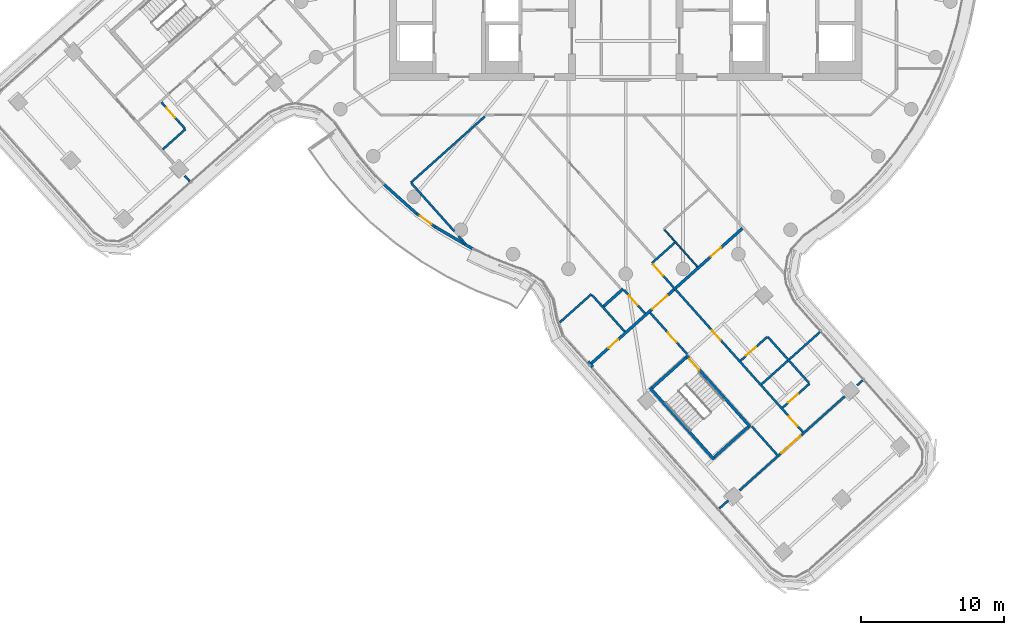
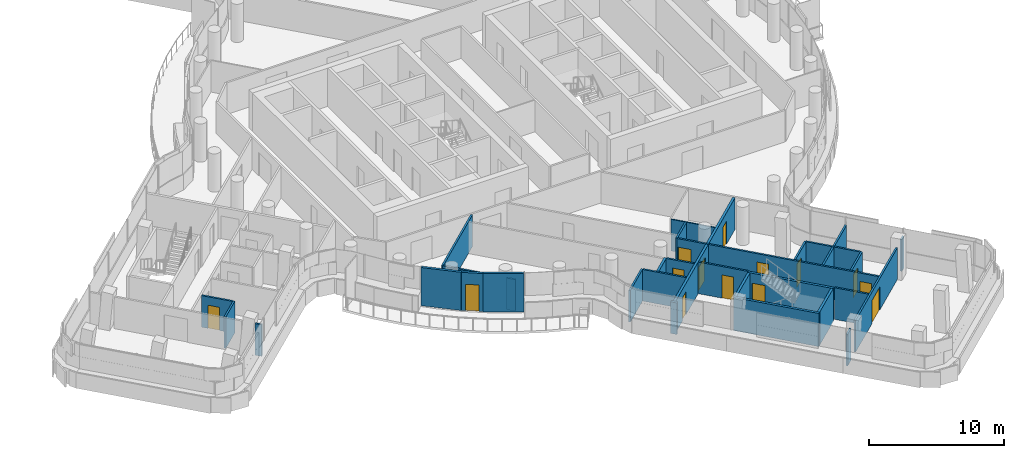
# One storey, part 20 of 33: 31 walls, 14 doors, 14 openings.
"""IFC4 building model written with IfcOpenShell, lengths in metres."""

import ifcopenshell
import ifcopenshell.guid

model = None  # the IFC model being written
_history = None  # IfcOwnerHistory: only IFC2X3 demands one
_inside = {}  # id of a spatial element -> (the spatial element, [elements in it])
_under = {}  # id of a project, library or spatial element -> (it, [spatial elements below it])
_declared = {}  # id of a project -> (the project, [libraries it declares])
_typed = {}  # id of a type object -> (the type object, [elements of that type])
_made_of = {}  # id of a material, layer set ... -> (it, [elements and type objects made of it])


def new_model(schema):
    """Start an empty IFC model of exactly this schema.

    Asked for "IFC4X3", IfcOpenShell would pick the latest addendum, in which some entities
    have other attributes; the version numbers below select the first issue.
    IFC2X3 requires an IfcOwnerHistory on every rooted entity: one is made here for all.
    """
    global model, _history
    if schema == "IFC4X3":
        model = ifcopenshell.file(schema_version=(4, 3, 0, 0))
    else:
        model = ifcopenshell.file(schema=schema)
    _inside.clear()
    _under.clear()
    _declared.clear()
    _typed.clear()
    _made_of.clear()
    _history = None
    if model.schema == "IFC2X3":
        org = make("IfcOrganization", Name="unknown")
        user = make(
            "IfcPersonAndOrganization",
            ThePerson=make("IfcPerson", FamilyName="unknown"),
            TheOrganization=org,
        )
        app = make(
            "IfcApplication",
            ApplicationDeveloper=org,
            Version="unknown",
            ApplicationFullName="unknown",
            ApplicationIdentifier="unknown",
        )
        _history = make(
            "IfcOwnerHistory",
            OwningUser=user,
            OwningApplication=app,
            ChangeAction="ADDED",
            CreationDate=0,
        )
    return model


def make(cls, **values):
    """One entity of the class cls with the attributes given. An attribute that is None is left unset."""
    return model.create_entity(
        cls, **{name: value for name, value in values.items() if value is not None}
    )


def rooted(cls, **values):
    """An entity with a GlobalId (a new one), such as an element, a storey or a relation."""
    return make(cls, GlobalId=ifcopenshell.guid.new(), OwnerHistory=_history, **values)


def si_unit(unit_type, name, prefix=None):
    """IfcSIUnit, for example si_unit("LENGTHUNIT", "METRE", prefix="MILLI")."""
    return make("IfcSIUnit", UnitType=unit_type, Prefix=prefix, Name=name)


def assignment(units):
    """IfcUnitAssignment: the units of a project."""
    return None if units is None else make("IfcUnitAssignment", Units=units)


def point(xyz):
    """IfcCartesianPoint."""
    return None if xyz is None else make("IfcCartesianPoint", Coordinates=xyz)


def direction(xyz):
    """IfcDirection."""
    return None if xyz is None else make("IfcDirection", DirectionRatios=xyz)


def frame(location, z_axis=None, x_axis=None):
    """IfcAxis2Placement3D, a coordinate frame: its origin and axes. An axis left out is left unset."""
    return make(
        "IfcAxis2Placement3D",
        Location=point(location),
        Axis=direction(z_axis),
        RefDirection=direction(x_axis),
    )


def frame_2d(location, x_axis=None):
    """IfcAxis2Placement2D, a coordinate frame in the plane: its origin and x axis."""
    return make(
        "IfcAxis2Placement2D", Location=point(location), RefDirection=direction(x_axis)
    )


def origin():
    """The frame at (0, 0, 0) with its axes left unset."""
    return frame((0.0, 0.0, 0.0))


def place(relative_to, where):
    """IfcLocalPlacement: puts the frame where relative to a parent placement (None: the world)."""
    return make(
        "IfcLocalPlacement", PlacementRelTo=relative_to, RelativePlacement=where
    )


def context(
    kind, dimensions, precision=None, world=None, true_north=None, identifier=None
):
    """IfcGeometricRepresentationContext, for example the 3D "Model" context."""
    return make(
        "IfcGeometricRepresentationContext",
        ContextIdentifier=identifier,
        ContextType=kind,
        CoordinateSpaceDimension=dimensions,
        Precision=precision,
        WorldCoordinateSystem=world,
        TrueNorth=true_north,
    )


def subcontext(parent, identifier, kind, view, scale=None):
    """IfcGeometricRepresentationSubContext, for example "Body" below "Model"."""
    return make(
        "IfcGeometricRepresentationSubContext",
        ContextIdentifier=identifier,
        ContextType=kind,
        ParentContext=parent,
        TargetScale=scale,
        TargetView=view,
    )


def project(units=None, contexts=None):
    """IfcProject with its units and contexts."""
    return rooted(
        "IfcProject",
        Name="project",
        RepresentationContexts=contexts,
        UnitsInContext=assignment(units),
    )


def spatial(cls, under=None, at=None, **own):
    """A site, building, storey or space (cls), placed at a placement, below another one or the project."""
    s = rooted(cls, ObjectPlacement=at, **own)
    if under is not None:
        _under.setdefault(under.id(), (under, []))[1].append(s)
    return s


def polyline(points):
    """IfcPolyline through the points."""
    return make("IfcPolyline", Points=[point(p) for p in points])


def profile(cls, at=None, kind="AREA", **sizes):
    """A parametric profile (cls). Its sizes go by their IFC names, for example OverallWidth=200.0."""
    return make(cls, ProfileType=kind, Position=at, **sizes)


def rectangle(**sizes):
    """IfcRectangleProfileDef."""
    return profile("IfcRectangleProfileDef", **sizes)


def outline(outer, holes=None, kind="AREA"):
    """IfcArbitraryClosedProfileDef: a profile drawn as a closed curve; with holes, ...WithVoids."""
    if holes is None:
        return make("IfcArbitraryClosedProfileDef", ProfileType=kind, OuterCurve=outer)
    return make(
        "IfcArbitraryProfileDefWithVoids",
        ProfileType=kind,
        OuterCurve=outer,
        InnerCurves=holes,
    )


def extrude(swept, where, along, depth):
    """IfcExtrudedAreaSolid: the profile swept, set in the frame where, extruded along a direction by depth."""
    return make(
        "IfcExtrudedAreaSolid",
        SweptArea=swept,
        Position=where,
        ExtrudedDirection=direction(along),
        Depth=depth,
    )


def shape(context_of_items, identifier, shape_type, items):
    """IfcShapeRepresentation: the items that make up one representation, for example the "Body"."""
    return make(
        "IfcShapeRepresentation",
        ContextOfItems=context_of_items,
        RepresentationIdentifier=identifier,
        RepresentationType=shape_type,
        Items=items,
    )


def material(Name=None, Category=None):
    """IfcMaterial."""
    return make("IfcMaterial", Name=Name, Category=Category)


def layer(
    of_material, thickness, ventilated=None, Name=None, Category=None, Priority=None
):
    """IfcMaterialLayer: one layer of a wall or slab, of a material (None: an air gap)."""
    return make(
        "IfcMaterialLayer",
        Material=of_material,
        LayerThickness=thickness,
        IsVentilated=ventilated,
        Name=Name,
        Category=Category,
        Priority=Priority,
    )


def layer_set(layers, Name=None):
    """IfcMaterialLayerSet."""
    return make("IfcMaterialLayerSet", MaterialLayers=layers, LayerSetName=Name)


def made_of(thing, what):
    """Note that an element or type object is made of a material, layer set ...; save() writes the relation."""
    if what is not None:
        _made_of.setdefault(what.id(), (what, []))[1].append(thing)
    return thing


def type_object(cls, material=None, **own):
    """A type object (cls), such as IfcWallType, which elements share."""
    return made_of(rooted(cls, **own), material)


def element(
    cls,
    number,
    at=None,
    inside=None,
    cuts=None,
    type_object=None,
    material=None,
    context=None,
    identifier="Body",
    shape_type=None,
    held_by="IfcProductDefinitionShape",
    body=None,
    shapes=None,
    **own,
):
    """One element of the class cls, such as IfcWall. Its Tag is "e" and its number.

    at: its placement. inside: the storey or other place that contains it. cuts: it is an
    opening in that element (IfcRelVoidsElement). A single representation is given by context,
    identifier, shape_type and body (its items); several are given by shapes. held_by: the class
    of the entity that holds the representations. save() writes the other relations.
    """
    e = rooted(cls, Tag="e%d" % number, ObjectPlacement=at, **own)
    if body is not None:
        shapes = [shape(context, identifier, shape_type, body)]
    if shapes is not None:
        e.Representation = make(held_by, Representations=shapes)
    if inside is not None:
        _inside.setdefault(inside.id(), (inside, []))[1].append(e)
    if cuts is not None:
        rooted(
            "IfcRelVoidsElement", RelatingBuildingElement=cuts, RelatedOpeningElement=e
        )
    if type_object is not None:
        _typed.setdefault(type_object.id(), (type_object, []))[1].append(e)
    return made_of(e, material)


def fill(opening, filler):
    """IfcRelFillsElement: the door or window that sits in an opening."""
    return rooted(
        "IfcRelFillsElement",
        RelatingOpeningElement=opening,
        RelatedBuildingElement=filler,
    )


def aggregate(whole, parts):
    """IfcRelAggregates: a whole, such as a stair, and the parts it consists of."""
    return rooted("IfcRelAggregates", RelatingObject=whole, RelatedObjects=parts)


def save(model, path):
    """Write the relations noted so far, then the file.

    IfcRelAggregates (storeys below a building ...), IfcRelContainedInSpatialStructure (elements
    in a storey), IfcRelDefinesByType, IfcRelAssociatesMaterial and IfcRelDeclares: one each for
    every whole, place, type object, material and project.
    """
    for whole, parts in _under.values():
        aggregate(whole, parts)
    for where, things in _inside.values():
        rooted(
            "IfcRelContainedInSpatialStructure",
            RelatedElements=things,
            RelatingStructure=where,
        )
    for kind, things in _typed.values():
        rooted("IfcRelDefinesByType", RelatedObjects=things, RelatingType=kind)
    for what, things in _made_of.values():
        rooted("IfcRelAssociatesMaterial", RelatedObjects=things, RelatingMaterial=what)
    for by, libraries in _declared.values():
        rooted("IfcRelDeclares", RelatingContext=by, RelatedDefinitions=libraries)
    model.write(path)


model = new_model("IFC4")

# Units and contexts
model_context = context("Model", 3, precision=1e-05, world=origin(), true_north=direction((0.0, 1.0)))
body_context = subcontext(model_context, "Body", "Model", "MODEL_VIEW")
ifc_project = project(units=[si_unit("LENGTHUNIT", "METRE"), si_unit("AREAUNIT", "SQUARE_METRE"), si_unit("VOLUMEUNIT", "CUBIC_METRE"), si_unit("PLANEANGLEUNIT", "RADIAN"), si_unit("MASSUNIT", "GRAM", prefix="KILO")], contexts=[model_context])

# Site, building, storey
site_placement = place(None, origin())
site = spatial("IfcSite", under=ifc_project, at=site_placement, CompositionType="ELEMENT")
building_placement = place(site_placement, origin())
building = spatial("IfcBuilding", under=site, at=building_placement, Name="Tamarind Cross Interchange Tower", CompositionType="ELEMENT")
storey_placement = place(building_placement, frame((0.0, 0.0, 186.10009765625)))
storey = spatial("IfcBuildingStorey", under=building, at=storey_placement, Name="L46", CompositionType="ELEMENT", Elevation=186.10009765625)

# Walls
ifc_material_1 = material(Name="Concrete C40", Category="concrete")
ifc_layer_1 = layer(ifc_material_1, 0.199951171875)
ifc_layer_set_1 = layer_set([ifc_layer_1], Name="Concrete C40")
wall_type_1 = type_object("IfcWallType", Name="Balcony and garden door wall", PredefinedType="SOLIDWALL", material=ifc_layer_set_1)
wall_1_placement = place(storey_placement, frame((-16.881103515625, -16.743408203125, 0.0), z_axis=(0.0, 0.0, 1.0), x_axis=(0.744845286736, -0.667237213311, 0.0)))
element("IfcWall", 1, at=wall_1_placement, inside=storey, type_object=wall_type_1, Name="EXW-L46-02-D02L", PredefinedType="SOLIDWALL", context=body_context, shape_type="SweptSolid", body=[
    extrude(rectangle(XDim=3.04833984375, YDim=0.199951171875, at=frame_2d((1.524169921875, 0.0))), origin(), (0.0, 0.0, 1.0), 3.4599609375),
])
wall_2_placement = place(storey_placement, frame((-13.309326171875, -19.707763671875, 0.0), z_axis=(0.0, 0.0, 1.0), x_axis=(0.863304849932, -0.504682807399, 0.0)))
element("IfcWall", 2, at=wall_2_placement, inside=storey, type_object=wall_type_1, Name="EXW-L46-02-D02R", PredefinedType="SOLIDWALL", context=body_context, shape_type="SweptSolid", body=[
    extrude(rectangle(XDim=3.047119140625, YDim=0.199951171875, at=frame_2d((1.5234375, 0.0))), origin(), (0.0, 0.0, 1.0), 3.4599609375),
])

# Wall, opening, door
wall_3_placement = place(storey_placement, frame((-14.610595703125, -18.77734375, 0.0), z_axis=(0.0, 0.0, 1.0), x_axis=(0.81345495277, -0.58162792214, 0.0)))
wall_3 = element("IfcWall", 3, at=wall_3_placement, inside=storey, type_object=wall_type_1, Name="EXW-L46-02-D02", PredefinedType="SOLIDWALL", context=body_context, shape_type="SweptSolid", body=[
    extrude(rectangle(XDim=1.599609375, YDim=0.199951171875, at=frame_2d((0.7998046875, 0.0))), origin(), (0.0, 0.0, 1.0), 3.4599609375),
])
opening_1_placement = place(wall_3_placement, frame((0.2998046875, 0.0, 0.0)))
opening_1 = element("IfcOpeningElement", 4, at=opening_1_placement, cuts=wall_3, Name="Opening D2", PredefinedType="OPENING", context=body_context, shape_type="SweptSolid", body=[
    extrude(rectangle(XDim=1.0, YDim=2.39990234375, at=frame_2d((0.5, 1.199951171875))), frame((0.0, 0.10986328125, 0.0), z_axis=(0.0, -1.0, 0.0), x_axis=(1.0, 0.0, 0.0)), (0.0, 0.0, 1.0), 0.219970703125),
])
ifc_material_2 = material(Name="Aluminium and toughened glass", Category="aluminium")
door_type_1 = type_object("IfcDoorType", Name="Balcony and garden door", OperationType="SINGLE_SWING_LEFT", PredefinedType="DOOR", material=ifc_material_2)
door_1_placement = place(opening_1_placement, origin())
door_1 = element("IfcDoor", 5, at=door_1_placement, inside=storey, type_object=door_type_1, Name="DOR-L46-02-02", OperationType="SINGLE_SWING_LEFT", OverallHeight=2.39990234375, OverallWidth=1.0, PredefinedType="DOOR", context=body_context, shape_type="SweptSolid", body=[
    extrude(rectangle(XDim=1.0, YDim=2.39990234375, at=frame_2d((0.5, 1.199951171875))), frame((0.0, 0.02490234375, 0.0), z_axis=(0.0, -1.0, 0.0), x_axis=(1.0, 0.0, 0.0)), (0.0, 0.0, 1.0), 0.050048828125),
])
fill(opening_1, door_1)

# Walls
ifc_material_3 = material(Name="Gypsum board partition on steel studs", Category="steel")
ifc_layer_2 = layer(ifc_material_3, 0.10009765625)
ifc_layer_set_2 = layer_set([ifc_layer_2], Name="Gypsum board partition on steel studs")
wall_type_2 = type_object("IfcWallType", Name="Partition 100 mm EI 90", PredefinedType="PARTITIONING", material=ifc_layer_set_2)
wall_4_placement = place(storey_placement, frame((2.70458984375, -19.924072265625, 0.0), z_axis=(0.0, 0.0, 1.0), x_axis=(0.666455053582, -0.74554521094, 0.0)))
element("IfcWall", 6, at=wall_4_placement, inside=storey, type_object=wall_type_2, Name="Partition L46-030", PredefinedType="PARTITIONING", context=body_context, shape_type="SweptSolid", body=[
    extrude(rectangle(XDim=3.44482421875, YDim=0.10009765625, at=frame_2d((1.722412109375, 0.0))), origin(), (0.0, 0.0, 1.0), 2.864013671875),
])
ifc_layer_3 = layer(ifc_material_3, 0.14990234375)
ifc_layer_set_3 = layer_set([ifc_layer_3], Name="Gypsum board partition on steel studs")
wall_type_3 = type_object("IfcWallType", Name="Partition 150 mm EI 120", PredefinedType="PARTITIONING", material=ifc_layer_set_3)
wall_5_placement = place(storey_placement, frame((-30.771484375, -16.145751953125, 0.0), z_axis=(0.0, 0.0, 1.0), x_axis=(0.666265024302, -0.74571503766, 0.0)))
element("IfcWall", 7, at=wall_5_placement, inside=storey, type_object=wall_type_3, Name="Partition L46-003", PredefinedType="PARTITIONING", context=body_context, shape_type="SweptSolid", body=[
    extrude(rectangle(XDim=0.525390625, YDim=0.14990234375, at=frame_2d((0.2626953125, 0.0))), origin(), (0.0, 0.0, 1.0), 2.864013671875),
])

# Wall, opening, door
wall_6_placement = place(storey_placement, frame((-32.40478515625, -11.017578125, 0.0), z_axis=(0.0, 0.0, 1.0), x_axis=(0.666360105754, -0.745630075479, 0.0)))
wall_6 = element("IfcWall", 8, at=wall_6_placement, inside=storey, type_object=wall_type_3, Name="Partition L46-004", PredefinedType="PARTITIONING", context=body_context, shape_type="SweptSolid", body=[
    extrude(rectangle(XDim=2.479248046875, YDim=0.14990234375, at=frame_2d((1.23974609375, 0.0))), origin(), (0.0, 0.0, 1.0), 2.864013671875),
])
opening_2_placement = place(wall_6_placement, frame((0.52001953125, 0.0, 0.0)))
opening_2 = element("IfcOpeningElement", 9, at=opening_2_placement, cuts=wall_6, Name="Opening D02", PredefinedType="OPENING", context=body_context, shape_type="SweptSolid", body=[
    extrude(rectangle(XDim=0.89990234375, YDim=2.10009765625, at=frame_2d((0.449951171875, 1.050048828125))), frame((0.0, 0.0849609375, 0.0), z_axis=(0.0, -1.0, 0.0), x_axis=(1.0, 0.0, 0.0)), (0.0, 0.0, 1.0), 0.169921875),
])
ifc_material_4 = material(Name="Fire-resisting door set")
door_type_2 = type_object("IfcDoorType", Name="Interior door 900 x 2100 FD60S", OperationType="SINGLE_SWING_LEFT", PredefinedType="DOOR", material=ifc_material_4)
door_2_placement = place(opening_2_placement, frame((0.89990234375, 0.0, 0.0), z_axis=(0.0, 0.0, 1.0), x_axis=(-1.0, 0.0, 0.0)))
door_2 = element("IfcDoor", 10, at=door_2_placement, inside=storey, type_object=door_type_2, Name="Door D02", OperationType="SINGLE_SWING_LEFT", OverallHeight=2.10009765625, OverallWidth=0.89990234375, PredefinedType="DOOR", context=body_context, shape_type="SweptSolid", body=[
    extrude(rectangle(XDim=0.89990234375, YDim=2.10009765625, at=frame_2d((0.449951171875, 1.050048828125))), frame((0.0, 0.02490234375, 0.0), z_axis=(0.0, -1.0, 0.0), x_axis=(1.0, 0.0, 0.0)), (0.0, 0.0, 1.0), 0.050048828125),
])
fill(opening_2, door_2)

# Walls
wall_7_placement = place(storey_placement, frame((-14.96923828125, -16.65673828125, 0.0), z_axis=(0.0, 0.0, 1.0), x_axis=(0.666348223985, -0.745640693895, 0.0)))
element("IfcWall", 11, at=wall_7_placement, inside=storey, type_object=wall_type_3, Name="Partition L46-013", PredefinedType="PARTITIONING", context=body_context, shape_type="SweptSolid", body=[
    extrude(rectangle(XDim=4.52294921875, YDim=0.14990234375, at=frame_2d((2.261474609375, 0.0))), origin(), (0.0, 0.0, 1.0), 2.864013671875),
])
wall_8_placement = place(storey_placement, frame((-11.658935546875, -20.361083984375, 0.0), z_axis=(0.0, 0.0, 1.0), x_axis=(0.666420937465, -0.74557570649, 0.0)))
element("IfcWall", 12, at=wall_8_placement, inside=storey, type_object=wall_type_3, Name="Partition L46-014", PredefinedType="PARTITIONING", context=body_context, shape_type="SweptSolid", body=[
    extrude(rectangle(XDim=0.706298828125, YDim=0.14990234375, at=frame_2d((0.35302734375, 0.0))), origin(), (0.0, 0.0, 1.0), 2.864013671875),
])
wall_9_placement = place(storey_placement, frame((-2.35205078125, -24.470947265625, 0.0), z_axis=(0.0, 0.0, 1.0), x_axis=(0.666436387123, -0.745561896772, 0.0)))
element("IfcWall", 13, at=wall_9_placement, inside=storey, type_object=wall_type_3, Name="Partition L46-023", PredefinedType="PARTITIONING", context=body_context, shape_type="SweptSolid", body=[
    extrude(rectangle(XDim=3.4248046875, YDim=0.14990234375, at=frame_2d((1.71240234375, 0.0))), origin(), (0.0, 0.0, 1.0), 2.864013671875),
])

# Wall, opening, door
wall_10_placement = place(storey_placement, frame((-0.118408203125, -24.11767578125, 0.0), z_axis=(0.0, 0.0, 1.0), x_axis=(0.666262717409, -0.745717098765, 0.0)))
wall_10 = element("IfcWall", 14, at=wall_10_placement, inside=storey, type_object=wall_type_3, Name="Partition L46-025", PredefinedType="PARTITIONING", context=body_context, shape_type="SweptSolid", body=[
    extrude(rectangle(XDim=2.199951171875, YDim=0.14990234375, at=frame_2d((1.10009765625, 0.0))), origin(), (0.0, 0.0, 1.0), 2.864013671875),
])
opening_3_placement = place(wall_10_placement, frame((0.5, 0.0, 0.0)))
opening_3 = element("IfcOpeningElement", 15, at=opening_3_placement, cuts=wall_10, Name="Opening D14", PredefinedType="OPENING", context=body_context, shape_type="SweptSolid", body=[
    extrude(rectangle(XDim=0.89990234375, YDim=2.10009765625, at=frame_2d((0.449951171875, 1.050048828125))), frame((0.0, 0.0849609375, 0.0), z_axis=(0.0, -1.0, 0.0), x_axis=(1.0, 0.0, 0.0)), (0.0, 0.0, 1.0), 0.169921875),
])
door_3_placement = place(opening_3_placement, frame((0.89990234375, 0.0, 0.0), z_axis=(0.0, 0.0, 1.0), x_axis=(-1.0, 0.0, 0.0)))
door_3 = element("IfcDoor", 16, at=door_3_placement, inside=storey, type_object=door_type_2, Name="Door D14", OperationType="SINGLE_SWING_LEFT", OverallHeight=2.10009765625, OverallWidth=0.89990234375, PredefinedType="DOOR", context=body_context, shape_type="SweptSolid", body=[
    extrude(rectangle(XDim=0.89990234375, YDim=2.10009765625, at=frame_2d((0.449951171875, 1.050048828125))), frame((0.0, 0.02490234375, 0.0), z_axis=(0.0, -1.0, 0.0), x_axis=(1.0, 0.0, 0.0)), (0.0, 0.0, 1.0), 0.050048828125),
])
fill(opening_3, door_3)

wall_11_placement = place(storey_placement, frame((1.70458984375, -25.70751953125, 0.0), z_axis=(0.0, 0.0, 1.0), x_axis=(0.666414011684, -0.745581896931, 0.0)))
wall_11 = element("IfcWall", 17, at=wall_11_placement, inside=storey, type_object=wall_type_3, Name="Partition L46-027", PredefinedType="PARTITIONING", context=body_context, shape_type="SweptSolid", body=[
    extrude(rectangle(XDim=3.86083984375, YDim=0.14990234375, at=frame_2d((1.930419921875, 0.0))), origin(), (0.0, 0.0, 1.0), 2.864013671875),
])
opening_4_placement = place(wall_11_placement, frame((1.85009765625, 0.0, 0.0)))
opening_4 = element("IfcOpeningElement", 18, at=opening_4_placement, cuts=wall_11, Name="Opening D15", PredefinedType="OPENING", context=body_context, shape_type="SweptSolid", body=[
    extrude(rectangle(XDim=0.89990234375, YDim=2.10009765625, at=frame_2d((0.449951171875, 1.050048828125))), frame((0.0, 0.0849609375, 0.0), z_axis=(0.0, -1.0, 0.0), x_axis=(1.0, 0.0, 0.0)), (0.0, 0.0, 1.0), 0.169921875),
])
door_4_placement = place(opening_4_placement, frame((0.89990234375, 0.0, 0.0), z_axis=(0.0, 0.0, 1.0), x_axis=(-1.0, 0.0, 0.0)))
door_4 = element("IfcDoor", 19, at=door_4_placement, inside=storey, type_object=door_type_2, Name="Door D15", OperationType="SINGLE_SWING_RIGHT", OverallHeight=2.10009765625, OverallWidth=0.89990234375, PredefinedType="DOOR", context=body_context, shape_type="SweptSolid", body=[
    extrude(rectangle(XDim=0.89990234375, YDim=2.10009765625, at=frame_2d((0.449951171875, 1.050048828125))), frame((0.0, 0.02490234375, 0.0), z_axis=(0.0, -1.0, 0.0), x_axis=(1.0, 0.0, 0.0)), (0.0, 0.0, 1.0), 0.050048828125),
])
fill(opening_4, door_4)

# Wall
wall_12_placement = place(storey_placement, frame((8.79541015625, -33.64111328125, 0.0), z_axis=(0.0, 0.0, 1.0), x_axis=(0.6664085863, -0.745586746198, 0.0)))
element("IfcWall", 20, at=wall_12_placement, inside=storey, type_object=wall_type_3, Name="Partition L46-028", PredefinedType="PARTITIONING", context=body_context, shape_type="SweptSolid", body=[
    extrude(rectangle(XDim=2.679443359375, YDim=0.14990234375, at=frame_2d((1.33984375, 0.0))), origin(), (0.0, 0.0, 1.0), 2.864013671875),
])

# Wall, openings, doors
wall_13_placement = place(storey_placement, frame((1.854736328125, -22.273681640625, 0.0), z_axis=(0.0, 0.0, 1.0), x_axis=(0.666398150621, -0.74559607352, 0.0)))
wall_13 = element("IfcWall", 21, at=wall_13_placement, inside=storey, type_object=wall_type_3, Name="Partition L46-029", PredefinedType="PARTITIONING", context=body_context, shape_type="SweptSolid", body=[
    extrude(rectangle(XDim=15.7802734375, YDim=0.14990234375, at=frame_2d((7.89013671875, 0.0))), origin(), (0.0, 0.0, 1.0), 2.864013671875),
])
opening_5_placement = place(wall_13_placement, frame((0.110107421875, 0.0, 0.0)))
opening_5 = element("IfcOpeningElement", 22, at=opening_5_placement, cuts=wall_13, Name="Opening D16", PredefinedType="OPENING", context=body_context, shape_type="SweptSolid", body=[
    extrude(rectangle(XDim=1.0, YDim=2.10009765625, at=frame_2d((0.5, 1.050048828125))), frame((0.0, 0.0849609375, 0.0), z_axis=(0.0, -1.0, 0.0), x_axis=(1.0, 0.0, 0.0)), (0.0, 0.0, 1.0), 0.169921875),
])
opening_6_placement = place(wall_13_placement, frame((6.259521484375, 0.0, 0.0)))
opening_6 = element("IfcOpeningElement", 23, at=opening_6_placement, cuts=wall_13, Name="Opening D17", PredefinedType="OPENING", context=body_context, shape_type="SweptSolid", body=[
    extrude(rectangle(XDim=0.89990234375, YDim=2.10009765625, at=frame_2d((0.449951171875, 1.050048828125))), frame((0.0, 0.0849609375, 0.0), z_axis=(0.0, -1.0, 0.0), x_axis=(1.0, 0.0, 0.0)), (0.0, 0.0, 1.0), 0.169921875),
])
opening_7_placement = place(wall_13_placement, frame((14.309814453125, 0.0, 0.0)))
opening_7 = element("IfcOpeningElement", 24, at=opening_7_placement, cuts=wall_13, Name="Opening D18", PredefinedType="OPENING", context=body_context, shape_type="SweptSolid", body=[
    extrude(rectangle(XDim=0.89990234375, YDim=2.10009765625, at=frame_2d((0.449951171875, 1.050048828125))), frame((0.0, 0.0849609375, 0.0), z_axis=(0.0, -1.0, 0.0), x_axis=(1.0, 0.0, 0.0)), (0.0, 0.0, 1.0), 0.169921875),
])
door_type_3 = type_object("IfcDoorType", Name="Interior door 1000 x 2100 FD60S", OperationType="SINGLE_SWING_LEFT", PredefinedType="DOOR", material=ifc_material_4)
door_5_placement = place(opening_5_placement, origin())
door_5 = element("IfcDoor", 25, at=door_5_placement, inside=storey, type_object=door_type_3, Name="Door D16", OperationType="SINGLE_SWING_RIGHT", OverallHeight=2.10009765625, OverallWidth=1.0, PredefinedType="DOOR", context=body_context, shape_type="SweptSolid", body=[
    extrude(rectangle(XDim=1.0, YDim=2.10009765625, at=frame_2d((0.5, 1.050048828125))), frame((0.0, 0.02490234375, 0.0), z_axis=(0.0, -1.0, 0.0), x_axis=(1.0, 0.0, 0.0)), (0.0, 0.0, 1.0), 0.050048828125),
])
fill(opening_5, door_5)
door_6_placement = place(opening_6_placement, origin())
door_6 = element("IfcDoor", 26, at=door_6_placement, inside=storey, type_object=door_type_2, Name="Door D17", OperationType="SINGLE_SWING_RIGHT", OverallHeight=2.10009765625, OverallWidth=0.89990234375, PredefinedType="DOOR", context=body_context, shape_type="SweptSolid", body=[
    extrude(rectangle(XDim=0.89990234375, YDim=2.10009765625, at=frame_2d((0.449951171875, 1.050048828125))), frame((0.0, 0.02490234375, 0.0), z_axis=(0.0, -1.0, 0.0), x_axis=(1.0, 0.0, 0.0)), (0.0, 0.0, 1.0), 0.050048828125),
])
fill(opening_6, door_6)
door_7_placement = place(opening_7_placement, origin())
door_7 = element("IfcDoor", 27, at=door_7_placement, inside=storey, type_object=door_type_2, Name="Door D18", OperationType="SINGLE_SWING_LEFT", OverallHeight=2.10009765625, OverallWidth=0.89990234375, PredefinedType="DOOR", context=body_context, shape_type="SweptSolid", body=[
    extrude(rectangle(XDim=0.89990234375, YDim=2.10009765625, at=frame_2d((0.449951171875, 1.050048828125))), frame((0.0, 0.02490234375, 0.0), z_axis=(0.0, -1.0, 0.0), x_axis=(1.0, 0.0, 0.0)), (0.0, 0.0, 1.0), 0.050048828125),
])
fill(opening_7, door_7)

# Walls
wall_14_placement = place(storey_placement, frame((9.923583984375, -27.40087890625, 0.0), z_axis=(0.0, 0.0, 1.0), x_axis=(0.666461724165, -0.745539247942, 0.0)))
element("IfcWall", 28, at=wall_14_placement, inside=storey, type_object=wall_type_3, Name="Partition L46-031", PredefinedType="PARTITIONING", context=body_context, shape_type="SweptSolid", body=[
    extrude(rectangle(XDim=4.28515625, YDim=0.14990234375, at=frame_2d((2.142578125, 0.0))), origin(), (0.0, 0.0, 1.0), 2.864013671875),
])
wall_15_placement = place(storey_placement, frame((-32.306396484375, -14.30859375, 0.0), z_axis=(0.0, 0.0, 1.0), x_axis=(0.745563554729, 0.666434532313, 0.0)))
element("IfcWall", 29, at=wall_15_placement, inside=storey, type_object=wall_type_3, Name="Partition L46-047", PredefinedType="PARTITIONING", context=body_context, shape_type="SweptSolid", body=[
    extrude(rectangle(XDim=2.11962890625, YDim=0.14990234375, at=frame_2d((1.059814453125, 0.0))), origin(), (0.0, 0.0, 1.0), 2.864013671875),
])
wall_16_placement = place(storey_placement, frame((-14.99609375, -16.626953125, 0.0), z_axis=(0.0, 0.0, 1.0), x_axis=(0.74550136181, 0.666504103167, 0.0)))
element("IfcWall", 30, at=wall_16_placement, inside=storey, type_object=wall_type_3, Name="Partition L46-055", PredefinedType="PARTITIONING", context=body_context, shape_type="SweptSolid", body=[
    extrude(rectangle(XDim=6.922607421875, YDim=0.14990234375, at=frame_2d((3.46142578125, 0.0))), origin(), (0.0, 0.0, 1.0), 2.864013671875),
])
wall_17_placement = place(storey_placement, frame((-4.604248046875, -26.38330078125, 0.0), z_axis=(0.0, 0.0, 1.0), x_axis=(0.745591433962, 0.66640334153, 0.0)))
element("IfcWall", 31, at=wall_17_placement, inside=storey, type_object=wall_type_3, Name="Partition L46-062", PredefinedType="PARTITIONING", context=body_context, shape_type="SweptSolid", body=[
    extrude(rectangle(XDim=2.95361328125, YDim=0.14990234375, at=frame_2d((1.476806640625, 0.0))), origin(), (0.0, 0.0, 1.0), 2.864013671875),
])
wall_18_placement = place(storey_placement, frame((1.827392578125, -22.243408203125, 0.0), z_axis=(0.0, 0.0, 1.0), x_axis=(0.74553667449, 0.666464602953, 0.0)))
element("IfcWall", 32, at=wall_18_placement, inside=storey, type_object=wall_type_3, Name="Partition L46-066", PredefinedType="PARTITIONING", context=body_context, shape_type="SweptSolid", body=[
    extrude(rectangle(XDim=2.1396484375, YDim=0.14990234375, at=frame_2d((1.06982421875, 0.0))), origin(), (0.0, 0.0, 1.0), 2.864013671875),
])
wall_19_placement = place(storey_placement, frame((6.534423828125, -39.362548828125, 0.0), z_axis=(0.0, 0.0, 1.0), x_axis=(0.745621583475, 0.666369607843, 0.0)))
element("IfcWall", 33, at=wall_19_placement, inside=storey, type_object=wall_type_3, Name="Partition L46-067", PredefinedType="PARTITIONING", context=body_context, shape_type="SweptSolid", body=[
    extrude(rectangle(XDim=0.822509765625, YDim=0.14990234375, at=frame_2d((0.4111328125, 0.0))), origin(), (0.0, 0.0, 1.0), 2.864013671875),
])

# Wall, opening, door
wall_20_placement = place(storey_placement, frame((7.94091796875, -38.105224609375, 0.0), z_axis=(0.0, 0.0, 1.0), x_axis=(0.745577166121, 0.666419304461, 0.0)))
wall_20 = element("IfcWall", 34, at=wall_20_placement, inside=storey, type_object=wall_type_3, Name="Partition L46-068", PredefinedType="PARTITIONING", context=body_context, shape_type="SweptSolid", body=[
    extrude(rectangle(XDim=9.9404296875, YDim=0.14990234375, at=frame_2d((4.97021484375, 0.0))), origin(), (0.0, 0.0, 1.0), 2.864013671875),
])
opening_8_placement = place(wall_20_placement, frame((3.912841796875, 0.0, 0.0)))
opening_8 = element("IfcOpeningElement", 35, at=opening_8_placement, cuts=wall_20, Name="Opening D38", PredefinedType="OPENING", context=body_context, shape_type="SweptSolid", body=[
    extrude(rectangle(XDim=1.800048828125, YDim=2.10009765625, at=frame_2d((0.89990234375, 1.050048828125))), frame((0.0, 0.0849609375, 0.0), z_axis=(0.0, -1.0, 0.0), x_axis=(1.0, 0.0, 0.0)), (0.0, 0.0, 1.0), 0.169921875),
])
door_type_4 = type_object("IfcDoorType", Name="Interior door 1800 x 2100 FD60S", OperationType="DOUBLE_DOOR_SINGLE_SWING", PredefinedType="DOOR", material=ifc_material_4)
door_8_placement = place(opening_8_placement, frame((1.800048828125, 0.0, 0.0), z_axis=(0.0, 0.0, 1.0), x_axis=(-1.0, 0.0, 0.0)))
door_8 = element("IfcDoor", 36, at=door_8_placement, inside=storey, type_object=door_type_4, Name="Door D38", OperationType="DOUBLE_DOOR_SINGLE_SWING", OverallHeight=2.10009765625, OverallWidth=1.800048828125, PredefinedType="DOOR", context=body_context, shape_type="SweptSolid", body=[
    extrude(rectangle(XDim=1.800048828125, YDim=2.10009765625, at=frame_2d((0.89990234375, 1.050048828125))), frame((0.0, 0.02490234375, 0.0), z_axis=(0.0, -1.0, 0.0), x_axis=(1.0, 0.0, 0.0)), (0.0, 0.0, 1.0), 0.050048828125),
])
fill(opening_8, door_8)

# Wall
wall_21_placement = place(storey_placement, frame((16.145751953125, -30.771484375, 0.0), z_axis=(0.0, 0.0, 1.0), x_axis=(0.74571503766, 0.666265024302, 0.0)))
element("IfcWall", 37, at=wall_21_placement, inside=storey, type_object=wall_type_3, Name="Partition L46-069", PredefinedType="PARTITIONING", context=body_context, shape_type="SweptSolid", body=[
    extrude(rectangle(XDim=0.525390625, YDim=0.14990234375, at=frame_2d((0.2626953125, 0.0))), origin(), (0.0, 0.0, 1.0), 2.864013671875),
])

# Wall, opening, door
wall_22_placement = place(storey_placement, frame((8.0185546875, -29.0498046875, 0.0), z_axis=(0.0, 0.0, 1.0), x_axis=(0.745631512628, 0.666358497639, 0.0)))
wall_22 = element("IfcWall", 38, at=wall_22_placement, inside=storey, type_object=wall_type_3, Name="Partition L46-070", PredefinedType="PARTITIONING", context=body_context, shape_type="SweptSolid", body=[
    extrude(rectangle(XDim=2.519287109375, YDim=0.14990234375, at=frame_2d((1.259765625, 0.0))), origin(), (0.0, 0.0, 1.0), 2.864013671875),
])
opening_9_placement = place(wall_22_placement, frame((0.52001953125, 0.0, 0.0)))
opening_9 = element("IfcOpeningElement", 39, at=opening_9_placement, cuts=wall_22, Name="Opening D39", PredefinedType="OPENING", context=body_context, shape_type="SweptSolid", body=[
    extrude(rectangle(XDim=0.89990234375, YDim=2.10009765625, at=frame_2d((0.449951171875, 1.050048828125))), frame((0.0, 0.0849609375, 0.0), z_axis=(0.0, -1.0, 0.0), x_axis=(1.0, 0.0, 0.0)), (0.0, 0.0, 1.0), 0.169921875),
])
door_9_placement = place(opening_9_placement, frame((0.89990234375, 0.0, 0.0), z_axis=(0.0, 0.0, 1.0), x_axis=(-1.0, 0.0, 0.0)))
door_9 = element("IfcDoor", 40, at=door_9_placement, inside=storey, type_object=door_type_2, Name="Door D39", OperationType="SINGLE_SWING_LEFT", OverallHeight=2.10009765625, OverallWidth=0.89990234375, PredefinedType="DOOR", context=body_context, shape_type="SweptSolid", body=[
    extrude(rectangle(XDim=0.89990234375, YDim=2.10009765625, at=frame_2d((0.449951171875, 1.050048828125))), frame((0.0, 0.02490234375, 0.0), z_axis=(0.0, -1.0, 0.0), x_axis=(1.0, 0.0, 0.0)), (0.0, 0.0, 1.0), 0.050048828125),
])
fill(opening_9, door_9)

# Wall
wall_23_placement = place(storey_placement, frame((9.484619140625, -30.690673828125, 0.0), z_axis=(0.0, 0.0, 1.0), x_axis=(0.745429813554, 0.666584123022, 0.0)))
element("IfcWall", 41, at=wall_23_placement, inside=storey, type_object=wall_type_3, Name="Partition L46-071", PredefinedType="PARTITIONING", context=body_context, shape_type="SweptSolid", body=[
    extrude(rectangle(XDim=5.452880859375, YDim=0.14990234375, at=frame_2d((2.7265625, 0.0))), origin(), (0.0, 0.0, 1.0), 2.864013671875),
])

# Wall, opening, door
wall_24_placement = place(storey_placement, frame((10.95068359375, -32.330810546875, 0.0), z_axis=(0.0, 0.0, 1.0), x_axis=(0.745562922809, 0.666435239263, 0.0)))
wall_24 = element("IfcWall", 42, at=wall_24_placement, inside=storey, type_object=wall_type_3, Name="Partition L46-073", PredefinedType="PARTITIONING", context=body_context, shape_type="SweptSolid", body=[
    extrude(rectangle(XDim=2.520751953125, YDim=0.14990234375, at=frame_2d((1.26025390625, 0.0))), origin(), (0.0, 0.0, 1.0), 2.864013671875),
])
opening_10_placement = place(wall_24_placement, frame((0.52001953125, 0.0, 0.0)))
opening_10 = element("IfcOpeningElement", 43, at=opening_10_placement, cuts=wall_24, Name="Opening D40", PredefinedType="OPENING", context=body_context, shape_type="SweptSolid", body=[
    extrude(rectangle(XDim=0.89990234375, YDim=2.10009765625, at=frame_2d((0.449951171875, 1.050048828125))), frame((0.0, 0.0849609375, 0.0), z_axis=(0.0, -1.0, 0.0), x_axis=(1.0, 0.0, 0.0)), (0.0, 0.0, 1.0), 0.169921875),
])
door_10_placement = place(opening_10_placement, origin())
door_10 = element("IfcDoor", 44, at=door_10_placement, inside=storey, type_object=door_type_2, Name="Door D40", OperationType="SINGLE_SWING_RIGHT", OverallHeight=2.10009765625, OverallWidth=0.89990234375, PredefinedType="DOOR", context=body_context, shape_type="SweptSolid", body=[
    extrude(rectangle(XDim=0.89990234375, YDim=2.10009765625, at=frame_2d((0.449951171875, 1.050048828125))), frame((0.0, 0.02490234375, 0.0), z_axis=(0.0, -1.0, 0.0), x_axis=(1.0, 0.0, 0.0)), (0.0, 0.0, 1.0), 0.050048828125),
])
fill(opening_10, door_10)

# Wall, openings, doors
ifc_layer_4 = layer(ifc_material_3, 0.199951171875)
ifc_layer_set_4 = layer_set([ifc_layer_4], Name="Gypsum board partition on steel studs")
wall_type_4 = type_object("IfcWallType", Name="Partition 200 mm EI 180", PredefinedType="PARTITIONING", material=ifc_layer_set_4)
wall_25_placement = place(storey_placement, frame((-2.3876953125, -29.230712890625, 0.0), z_axis=(0.0, 0.0, 1.0), x_axis=(0.745635079119, 0.666354506841, 0.0)))
wall_25 = element("IfcWall", 45, at=wall_25_placement, inside=storey, type_object=wall_type_4, Name="Partition L46-064", PredefinedType="PARTITIONING", context=body_context, shape_type="SweptSolid", body=[
    extrude(rectangle(XDim=14.119384765625, YDim=0.199951171875, at=frame_2d((7.0595703125, 0.0))), origin(), (0.0, 0.0, 1.0), 2.864013671875),
])
opening_11_placement = place(wall_25_placement, frame((5.69921875, 0.0, 0.0)))
opening_11 = element("IfcOpeningElement", 46, at=opening_11_placement, cuts=wall_25, Name="Opening D35", PredefinedType="OPENING", context=body_context, shape_type="SweptSolid", body=[
    extrude(rectangle(XDim=1.39990234375, YDim=2.10009765625, at=frame_2d((0.699951171875, 1.050048828125))), frame((0.0, 0.10986328125, 0.0), z_axis=(0.0, -1.0, 0.0), x_axis=(1.0, 0.0, 0.0)), (0.0, 0.0, 1.0), 0.219970703125),
])
opening_12_placement = place(wall_25_placement, frame((11.198974609375, 0.0, 0.0)))
opening_12 = element("IfcOpeningElement", 47, at=opening_12_placement, cuts=wall_25, Name="Opening D36", PredefinedType="OPENING", context=body_context, shape_type="SweptSolid", body=[
    extrude(rectangle(XDim=0.89990234375, YDim=2.10009765625, at=frame_2d((0.449951171875, 1.050048828125))), frame((0.0, 0.10986328125, 0.0), z_axis=(0.0, -1.0, 0.0), x_axis=(1.0, 0.0, 0.0)), (0.0, 0.0, 1.0), 0.219970703125),
])
opening_13_placement = place(wall_25_placement, frame((1.5791015625, 0.0, 0.0)))
opening_13 = element("IfcOpeningElement", 48, at=opening_13_placement, cuts=wall_25, Name="Opening D37", PredefinedType="OPENING", context=body_context, shape_type="SweptSolid", body=[
    extrude(rectangle(XDim=0.89990234375, YDim=2.10009765625, at=frame_2d((0.449951171875, 1.050048828125))), frame((0.0, 0.10986328125, 0.0), z_axis=(0.0, -1.0, 0.0), x_axis=(1.0, 0.0, 0.0)), (0.0, 0.0, 1.0), 0.219970703125),
])
door_type_5 = type_object("IfcDoorType", Name="Interior door 1400 x 2100 FD120S", OperationType="DOUBLE_DOOR_SINGLE_SWING", PredefinedType="DOOR", material=ifc_material_4)
door_11_placement = place(opening_11_placement, origin())
door_11 = element("IfcDoor", 49, at=door_11_placement, inside=storey, type_object=door_type_5, Name="Door D35", OperationType="DOUBLE_DOOR_SINGLE_SWING", OverallHeight=2.10009765625, OverallWidth=1.39990234375, PredefinedType="DOOR", context=body_context, shape_type="SweptSolid", body=[
    extrude(rectangle(XDim=1.39990234375, YDim=2.10009765625, at=frame_2d((0.699951171875, 1.050048828125))), frame((0.0, 0.02490234375, 0.0), z_axis=(0.0, -1.0, 0.0), x_axis=(1.0, 0.0, 0.0)), (0.0, 0.0, 1.0), 0.050048828125),
])
fill(opening_11, door_11)
door_type_6 = type_object("IfcDoorType", Name="Interior door 900 x 2100 FD120S", OperationType="SINGLE_SWING_LEFT", PredefinedType="DOOR", material=ifc_material_4)
door_12_placement = place(opening_12_placement, origin())
door_12 = element("IfcDoor", 50, at=door_12_placement, inside=storey, type_object=door_type_6, Name="Door D36", OperationType="SINGLE_SWING_LEFT", OverallHeight=2.10009765625, OverallWidth=0.89990234375, PredefinedType="DOOR", context=body_context, shape_type="SweptSolid", body=[
    extrude(rectangle(XDim=0.89990234375, YDim=2.10009765625, at=frame_2d((0.449951171875, 1.050048828125))), frame((0.0, 0.02490234375, 0.0), z_axis=(0.0, -1.0, 0.0), x_axis=(1.0, 0.0, 0.0)), (0.0, 0.0, 1.0), 0.050048828125),
])
fill(opening_12, door_12)
door_13_placement = place(opening_13_placement, origin())
door_13 = element("IfcDoor", 51, at=door_13_placement, inside=storey, type_object=door_type_6, Name="Door D37", OperationType="SINGLE_SWING_RIGHT", OverallHeight=2.10009765625, OverallWidth=0.89990234375, PredefinedType="DOOR", context=body_context, shape_type="SweptSolid", body=[
    extrude(rectangle(XDim=0.89990234375, YDim=2.10009765625, at=frame_2d((0.449951171875, 1.050048828125))), frame((0.0, 0.02490234375, 0.0), z_axis=(0.0, -1.0, 0.0), x_axis=(1.0, 0.0, 0.0)), (0.0, 0.0, 1.0), 0.050048828125),
])
fill(opening_13, door_13)

# Walls
wall_26_placement = place(storey_placement, frame((-1.54248046875, -25.256591796875, 0.0), z_axis=(0.0, 0.0, 1.0), x_axis=(0.745490239636, 0.666516543387, 0.0)))
element("IfcWall", 52, at=wall_26_placement, inside=storey, type_object=wall_type_4, Name="Partition L46-065", PredefinedType="PARTITIONING", context=body_context, shape_type="SweptSolid", body=[
    extrude(rectangle(XDim=1.82080078125, YDim=0.199951171875, at=frame_2d((0.910400390625, 0.0))), origin(), (0.0, 0.0, 1.0), 2.864013671875),
])
wall_27_placement = place(storey_placement, frame((-2.62890625, -29.111083984375, 0.0), z_axis=(0.0, 0.0, 1.0), x_axis=(0.666452267505, -0.74554770145, 0.0)))
element("IfcWall", 53, at=wall_27_placement, inside=storey, type_object=wall_type_4, Name="Partition L46-080", PredefinedType="PARTITIONING", context=body_context, shape_type="SweptSolid", body=[
    extrude(rectangle(XDim=0.5, YDim=0.199951171875, at=frame_2d((0.25, 0.0))), origin(), (0.0, 0.0, 1.0), 2.864013671875),
])

# Wall, opening, door
ifc_layer_5 = layer(ifc_material_1, 0.199951171875)
ifc_layer_set_5 = layer_set([ifc_layer_5], Name="Concrete C40")
wall_type_5 = type_object("IfcWallType", Name="Stair shaft wall 200 mm Concrete C40", PredefinedType="SHEAR", material=ifc_layer_set_5)
wall_28_placement = place(storey_placement, frame((4.22900390625, -28.681884765625, -0.14013671875), z_axis=(0.0, 0.0, 1.0), x_axis=(0.666444348654, -0.745554780112, 0.0)))
wall_28 = element("IfcWall", 54, at=wall_28_placement, inside=storey, type_object=wall_type_5, Name="Core wall CWL-L46-ST6-H", PredefinedType="SHEAR", context=body_context, shape_type="SweptSolid", body=[
    extrude(rectangle(XDim=6.699951171875, YDim=0.199951171875, at=frame_2d((3.35009765625, 0.0))), origin(), (0.0, 0.0, 1.0), 3.004150390625),
])
opening_14_placement = place(wall_28_placement, frame((0.35009765625, 0.0, 0.0)))
opening_14 = element("IfcOpeningElement", 55, at=opening_14_placement, cuts=wall_28, Name="Opening ST6L46", PredefinedType="OPENING", context=body_context, shape_type="SweptSolid", body=[
    extrude(rectangle(XDim=1.0, YDim=2.10009765625, at=frame_2d((0.5, 1.050048828125))), frame((0.0, 0.10986328125, 0.0), z_axis=(0.0, -1.0, 0.0), x_axis=(1.0, 0.0, 0.0)), (0.0, 0.0, 1.0), 0.219970703125),
])
ifc_material_5 = material(Name="Steel, fire-resisting", Category="steel")
door_type_7 = type_object("IfcDoorType", Name="Core fire door 1000 x 2100 FD90", OperationType="SINGLE_SWING_LEFT", PredefinedType="DOOR", material=ifc_material_5)
door_14_placement = place(opening_14_placement, origin())
door_14 = element("IfcDoor", 56, at=door_14_placement, inside=storey, type_object=door_type_7, Name="L46 stair door ST6", OperationType="SINGLE_SWING_LEFT", OverallHeight=2.10009765625, OverallWidth=1.0, PredefinedType="DOOR", context=body_context, shape_type="SweptSolid", body=[
    extrude(rectangle(XDim=1.0, YDim=2.10009765625, at=frame_2d((0.5, 1.050048828125))), frame((0.0, 0.02490234375, 0.0), z_axis=(0.0, -1.0, 0.0), x_axis=(1.0, 0.0, 0.0)), (0.0, 0.0, 1.0), 0.050048828125),
])
fill(opening_14, door_14)

# Walls
wall_29_placement = place(storey_placement, frame((1.694091796875, -30.94775390625, -0.14013671875), z_axis=(0.0, 0.0, 1.0), x_axis=(0.666405987059, -0.745589069402, 0.0)))
element("IfcWall", 57, at=wall_29_placement, inside=storey, type_object=wall_type_5, Name="Core wall CWL-L46-ST6-C", PredefinedType="SHEAR", context=body_context, shape_type="SweptSolid", body=[
    extrude(rectangle(XDim=6.699951171875, YDim=0.199951171875, at=frame_2d((3.35009765625, 0.0))), origin(), (0.0, 0.0, 1.0), 3.004150390625),
])
wall_30_placement = place(storey_placement, frame((1.835205078125, -30.95556640625, -0.14013671875), z_axis=(0.0, 0.0, 1.0), x_axis=(0.745558500587, 0.666440186515, 0.0)))
element("IfcWall", 58, at=wall_30_placement, inside=storey, type_object=wall_type_5, Name="Core wall CWL-L46-ST6-CE", PredefinedType="SHEAR", context=body_context, shape_type="SweptSolid", body=[
    extrude(rectangle(XDim=3.199951171875, YDim=0.199951171875, at=frame_2d((1.60009765625, 0.0))), origin(), (0.0, 0.0, 1.0), 3.004150390625),
])
wall_31_placement = place(storey_placement, frame((0.0, 0.0, -0.14013671875)))
element("IfcWall", 59, at=wall_31_placement, inside=storey, type_object=wall_type_5, Name="Core wall CWL-L46-ST6-CF", PredefinedType="SHEAR", context=body_context, shape_type="SweptSolid", body=[
    extrude(outline(polyline([(6.100341796875, -35.727294921875), (6.233642578125, -35.876220703125), (8.619384765625, -33.743896484375), (8.486083984375, -33.594482421875), (6.100341796875, -35.727294921875)])), origin(), (0.0, 0.0, 1.0), 3.004150390625),
])

save(model, "model.ifc")
